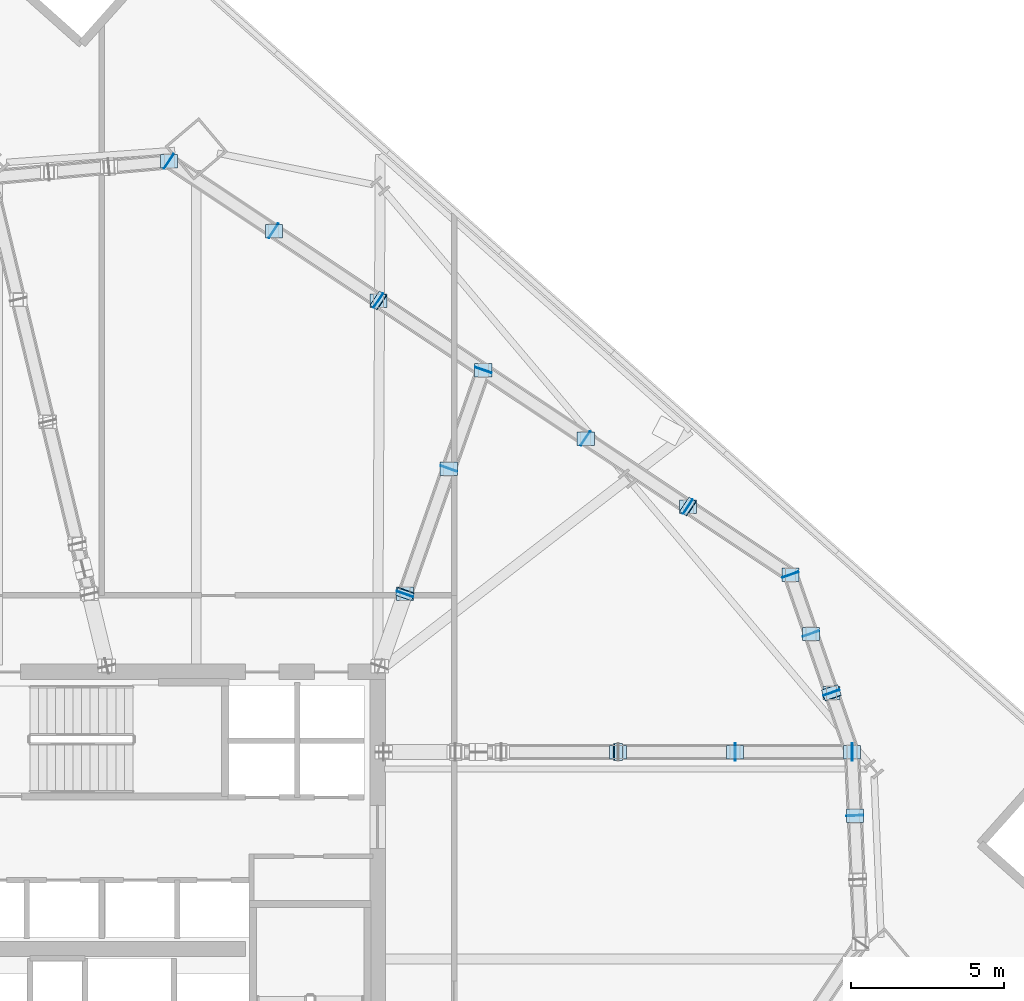
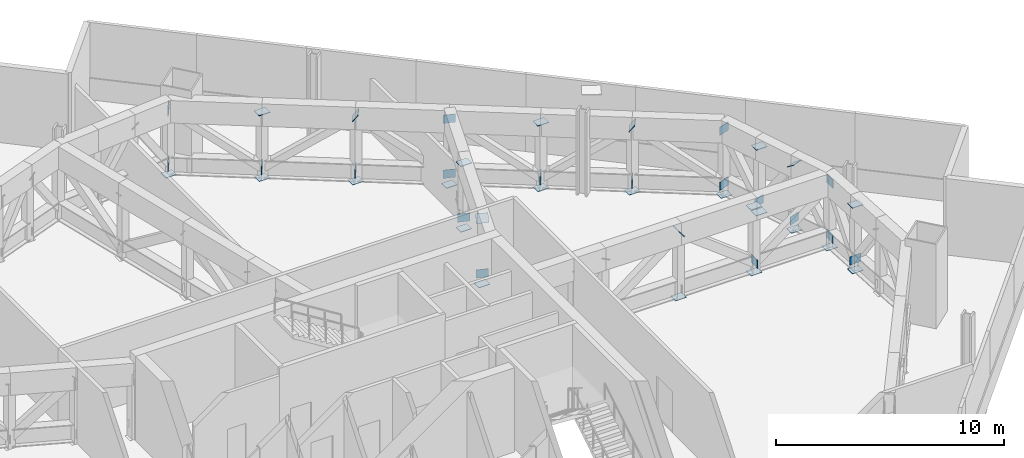
# One storey, part 11 of 18: 44 plates.
"""IFC4 building model written with IfcOpenShell, lengths in metres."""

import ifcopenshell
import ifcopenshell.guid

model = None  # the IFC model being written
_history = None  # IfcOwnerHistory: only IFC2X3 demands one
_inside = {}  # id of a spatial element -> (the spatial element, [elements in it])
_under = {}  # id of a project, library or spatial element -> (it, [spatial elements below it])
_declared = {}  # id of a project -> (the project, [libraries it declares])
_typed = {}  # id of a type object -> (the type object, [elements of that type])
_made_of = {}  # id of a material, layer set ... -> (it, [elements and type objects made of it])


def new_model(schema):
    """Start an empty IFC model of exactly this schema.

    Asked for "IFC4X3", IfcOpenShell would pick the latest addendum, in which some entities
    have other attributes; the version numbers below select the first issue.
    IFC2X3 requires an IfcOwnerHistory on every rooted entity: one is made here for all.
    """
    global model, _history
    if schema == "IFC4X3":
        model = ifcopenshell.file(schema_version=(4, 3, 0, 0))
    else:
        model = ifcopenshell.file(schema=schema)
    _inside.clear()
    _under.clear()
    _declared.clear()
    _typed.clear()
    _made_of.clear()
    _history = None
    if model.schema == "IFC2X3":
        org = make("IfcOrganization", Name="unknown")
        user = make(
            "IfcPersonAndOrganization",
            ThePerson=make("IfcPerson", FamilyName="unknown"),
            TheOrganization=org,
        )
        app = make(
            "IfcApplication",
            ApplicationDeveloper=org,
            Version="unknown",
            ApplicationFullName="unknown",
            ApplicationIdentifier="unknown",
        )
        _history = make(
            "IfcOwnerHistory",
            OwningUser=user,
            OwningApplication=app,
            ChangeAction="ADDED",
            CreationDate=0,
        )
    return model


def make(cls, **values):
    """One entity of the class cls with the attributes given. An attribute that is None is left unset."""
    return model.create_entity(
        cls, **{name: value for name, value in values.items() if value is not None}
    )


def rooted(cls, **values):
    """An entity with a GlobalId (a new one), such as an element, a storey or a relation."""
    return make(cls, GlobalId=ifcopenshell.guid.new(), OwnerHistory=_history, **values)


def si_unit(unit_type, name, prefix=None):
    """IfcSIUnit, for example si_unit("LENGTHUNIT", "METRE", prefix="MILLI")."""
    return make("IfcSIUnit", UnitType=unit_type, Prefix=prefix, Name=name)


def assignment(units):
    """IfcUnitAssignment: the units of a project."""
    return None if units is None else make("IfcUnitAssignment", Units=units)


def point(xyz):
    """IfcCartesianPoint."""
    return None if xyz is None else make("IfcCartesianPoint", Coordinates=xyz)


def direction(xyz):
    """IfcDirection."""
    return None if xyz is None else make("IfcDirection", DirectionRatios=xyz)


def frame(location, z_axis=None, x_axis=None):
    """IfcAxis2Placement3D, a coordinate frame: its origin and axes. An axis left out is left unset."""
    return make(
        "IfcAxis2Placement3D",
        Location=point(location),
        Axis=direction(z_axis),
        RefDirection=direction(x_axis),
    )


def frame_2d(location, x_axis=None):
    """IfcAxis2Placement2D, a coordinate frame in the plane: its origin and x axis."""
    return make(
        "IfcAxis2Placement2D", Location=point(location), RefDirection=direction(x_axis)
    )


def origin():
    """The frame at (0, 0, 0) with its axes left unset."""
    return frame((0.0, 0.0, 0.0))


def origin_2d():
    """The frame at (0, 0) in the plane with its x axis left unset."""
    return frame_2d((0.0, 0.0))


def place(relative_to, where):
    """IfcLocalPlacement: puts the frame where relative to a parent placement (None: the world)."""
    return make(
        "IfcLocalPlacement", PlacementRelTo=relative_to, RelativePlacement=where
    )


def context(
    kind, dimensions, precision=None, world=None, true_north=None, identifier=None
):
    """IfcGeometricRepresentationContext, for example the 3D "Model" context."""
    return make(
        "IfcGeometricRepresentationContext",
        ContextIdentifier=identifier,
        ContextType=kind,
        CoordinateSpaceDimension=dimensions,
        Precision=precision,
        WorldCoordinateSystem=world,
        TrueNorth=true_north,
    )


def subcontext(parent, identifier, kind, view, scale=None):
    """IfcGeometricRepresentationSubContext, for example "Body" below "Model"."""
    return make(
        "IfcGeometricRepresentationSubContext",
        ContextIdentifier=identifier,
        ContextType=kind,
        ParentContext=parent,
        TargetScale=scale,
        TargetView=view,
    )


def project(units=None, contexts=None):
    """IfcProject with its units and contexts."""
    return rooted(
        "IfcProject",
        Name="project",
        RepresentationContexts=contexts,
        UnitsInContext=assignment(units),
    )


def spatial(cls, under=None, at=None, **own):
    """A site, building, storey or space (cls), placed at a placement, below another one or the project."""
    s = rooted(cls, ObjectPlacement=at, **own)
    if under is not None:
        _under.setdefault(under.id(), (under, []))[1].append(s)
    return s


def profile(cls, at=None, kind="AREA", **sizes):
    """A parametric profile (cls). Its sizes go by their IFC names, for example OverallWidth=200.0."""
    return make(cls, ProfileType=kind, Position=at, **sizes)


def rectangle(**sizes):
    """IfcRectangleProfileDef."""
    return profile("IfcRectangleProfileDef", **sizes)


def extrude(swept, where, along, depth):
    """IfcExtrudedAreaSolid: the profile swept, set in the frame where, extruded along a direction by depth."""
    return make(
        "IfcExtrudedAreaSolid",
        SweptArea=swept,
        Position=where,
        ExtrudedDirection=direction(along),
        Depth=depth,
    )


def shape(context_of_items, identifier, shape_type, items):
    """IfcShapeRepresentation: the items that make up one representation, for example the "Body"."""
    return make(
        "IfcShapeRepresentation",
        ContextOfItems=context_of_items,
        RepresentationIdentifier=identifier,
        RepresentationType=shape_type,
        Items=items,
    )


def source(mapping_origin, context_of_items, identifier, shape_type, items):
    """IfcRepresentationMap: a shape defined once, which mapped items show again and again."""
    return make(
        "IfcRepresentationMap",
        MappingOrigin=mapping_origin,
        MappedRepresentation=shape(context_of_items, identifier, shape_type, items),
    )


def transform(
    local_origin,
    x_axis=None,
    y_axis=None,
    z_axis=None,
    scale=None,
    scale2=None,
    scale3=None,
    uniform=True,
):
    """IfcCartesianTransformationOperator3D, or its non-uniform kind. x_axis, y_axis, z_axis: its Axis1, 2, 3."""
    if uniform:
        return make(
            "IfcCartesianTransformationOperator3D",
            Axis1=direction(x_axis),
            Axis2=direction(y_axis),
            LocalOrigin=point(local_origin),
            Scale=scale,
            Axis3=direction(z_axis),
        )
    return make(
        "IfcCartesianTransformationOperator3DnonUniform",
        Axis1=direction(x_axis),
        Axis2=direction(y_axis),
        LocalOrigin=point(local_origin),
        Scale=scale,
        Axis3=direction(z_axis),
        Scale2=scale2,
        Scale3=scale3,
    )


def mapped(mapping_source, mapping_target):
    """IfcMappedItem: shows the shape of a source again, moved by a transform."""
    return make(
        "IfcMappedItem", MappingSource=mapping_source, MappingTarget=mapping_target
    )


def material(Name=None, Category=None):
    """IfcMaterial."""
    return make("IfcMaterial", Name=Name, Category=Category)


def layer(
    of_material, thickness, ventilated=None, Name=None, Category=None, Priority=None
):
    """IfcMaterialLayer: one layer of a wall or slab, of a material (None: an air gap)."""
    return make(
        "IfcMaterialLayer",
        Material=of_material,
        LayerThickness=thickness,
        IsVentilated=ventilated,
        Name=Name,
        Category=Category,
        Priority=Priority,
    )


def layer_set(layers, Name=None):
    """IfcMaterialLayerSet."""
    return make("IfcMaterialLayerSet", MaterialLayers=layers, LayerSetName=Name)


def made_of(thing, what):
    """Note that an element or type object is made of a material, layer set ...; save() writes the relation."""
    if what is not None:
        _made_of.setdefault(what.id(), (what, []))[1].append(thing)
    return thing


def type_object(cls, material=None, **own):
    """A type object (cls), such as IfcWallType, which elements share."""
    return made_of(rooted(cls, **own), material)


def element(
    cls,
    number,
    at=None,
    inside=None,
    cuts=None,
    type_object=None,
    material=None,
    context=None,
    identifier="Body",
    shape_type=None,
    held_by="IfcProductDefinitionShape",
    body=None,
    shapes=None,
    **own,
):
    """One element of the class cls, such as IfcWall. Its Tag is "e" and its number.

    at: its placement. inside: the storey or other place that contains it. cuts: it is an
    opening in that element (IfcRelVoidsElement). A single representation is given by context,
    identifier, shape_type and body (its items); several are given by shapes. held_by: the class
    of the entity that holds the representations. save() writes the other relations.
    """
    e = rooted(cls, Tag="e%d" % number, ObjectPlacement=at, **own)
    if body is not None:
        shapes = [shape(context, identifier, shape_type, body)]
    if shapes is not None:
        e.Representation = make(held_by, Representations=shapes)
    if inside is not None:
        _inside.setdefault(inside.id(), (inside, []))[1].append(e)
    if cuts is not None:
        rooted(
            "IfcRelVoidsElement", RelatingBuildingElement=cuts, RelatedOpeningElement=e
        )
    if type_object is not None:
        _typed.setdefault(type_object.id(), (type_object, []))[1].append(e)
    return made_of(e, material)


def aggregate(whole, parts):
    """IfcRelAggregates: a whole, such as a stair, and the parts it consists of."""
    return rooted("IfcRelAggregates", RelatingObject=whole, RelatedObjects=parts)


def save(model, path):
    """Write the relations noted so far, then the file.

    IfcRelAggregates (storeys below a building ...), IfcRelContainedInSpatialStructure (elements
    in a storey), IfcRelDefinesByType, IfcRelAssociatesMaterial and IfcRelDeclares: one each for
    every whole, place, type object, material and project.
    """
    for whole, parts in _under.values():
        aggregate(whole, parts)
    for where, things in _inside.values():
        rooted(
            "IfcRelContainedInSpatialStructure",
            RelatedElements=things,
            RelatingStructure=where,
        )
    for kind, things in _typed.values():
        rooted("IfcRelDefinesByType", RelatedObjects=things, RelatingType=kind)
    for what, things in _made_of.values():
        rooted("IfcRelAssociatesMaterial", RelatedObjects=things, RelatingMaterial=what)
    for by, libraries in _declared.values():
        rooted("IfcRelDeclares", RelatingContext=by, RelatedDefinitions=libraries)
    model.write(path)


model = new_model("IFC4")

# Units and contexts
model_context = context("Model", 3, precision=1e-05, world=origin(), true_north=direction((0.0, 1.0)))
body_context = subcontext(model_context, "Body", "Model", "MODEL_VIEW")
ifc_project = project(units=[si_unit("LENGTHUNIT", "METRE"), si_unit("AREAUNIT", "SQUARE_METRE"), si_unit("VOLUMEUNIT", "CUBIC_METRE"), si_unit("PLANEANGLEUNIT", "RADIAN"), si_unit("MASSUNIT", "GRAM", prefix="KILO")], contexts=[model_context])

# Site, building, storey
site_placement = place(None, origin())
site = spatial("IfcSite", under=ifc_project, at=site_placement, CompositionType="ELEMENT")
building_placement = place(site_placement, origin())
building = spatial("IfcBuilding", under=site, at=building_placement, Name="Haldenkirk Collegiate Tower", CompositionType="ELEMENT")
storey_placement = place(building_placement, frame((0.0, 0.0, 189.449951171875)))
storey = spatial("IfcBuildingStorey", under=building, at=storey_placement, Name="L47", CompositionType="ELEMENT", Elevation=189.449951171875)

# Plates
ifc_material = material(Name="Steel ASTM A572 Grade 50", Category="steel")
ifc_layer = layer(ifc_material, 0.028076171875)
ifc_layer_set = layer_set([ifc_layer], Name="Steel ASTM A572 Grade 50")
plate_type = type_object("IfcPlateType", Name="PLT-CAP-INT-560X440", PredefinedType="USERDEFINED", material=ifc_layer_set)
shared_shape = source(origin(), body_context, "Body", "SweptSolid", [
    extrude(rectangle(XDim=0.56005859375, YDim=0.43994140625, at=origin_2d()), origin(), (0.0, 0.0, 1.0), 0.028076171875),
])
for number, where, z_axis, x_axis, name in (
    (1, (52.840576171875, 31.3837890625, 3.48828125), (0.792593021539, 0.0, 0.60975101657), (0.0, 1.0, 0.0), "Outrigger Truss L47 Radial 02 web diagonal 3 end cap plate 2"),
    (2, (56.66162109375, 31.3837890625, 0.550048828125), (1.0, 0.0, 0.0), (0.0, 1.0, 0.0), "Outrigger Truss L47 Radial 02 bottom chord 4 end plate 2"),
    (3, (60.4833984375, 31.3837890625, 3.489990234375), (1.0, 0.0, 0.0), (0.0, 1.0, 0.0), "Outrigger Truss L47 Radial 02 top chord 5 end cap plate 2"),
    (4, (60.4833984375, 31.3837890625, 0.550048828125), (1.0, 0.0, 0.0), (0.0, 1.0, 0.0), "Outrigger Truss L47 Radial 02 bottom chord 5 end plate 2"),
    (5, (52.84326171875, 31.3837890625, 0.0029296875), (0.0, 0.0, -1.0), (1.0, 0.0, 0.0), "Outrigger Truss L47 Radial 02 vertical post 4 end cap plate 1"),
    (6, (56.664794921875, 31.3837890625, 0.0029296875), (0.0, 0.0, -1.0), (1.0, 0.0, 0.0), "Outrigger Truss L47 Radial 02 vertical post 5 end cap plate 1"),
    (7, (56.664794921875, 31.3837890625, 3.48681640625), (0.0, 0.0, 1.0), (1.0, 0.0, 0.0), "Outrigger Truss L47 Radial 02 vertical post 5 end cap plate 2"),
    (8, (60.486328125, 31.3837890625, 0.0029296875), (0.0, 0.0, -1.0), (1.0, 0.0, 0.0), "Outrigger Truss L47 Radial 02 vertical post 6 end cap plate 1"),
    (9, (45.894287109375, 36.552734375, 0.550048828125), (-0.330582975931, -0.943776931285, 0.0), (0.943776931285, -0.330582975931, 0.0), "Outrigger Truss L47 Radial 06 bottom chord 2 end plate 1"),
    (10, (47.3193359375, 40.621826171875, 0.550048828125), (0.330582975931, 0.943776931285, 0.0), (-0.943776931285, 0.330582975931, 0.0), "Outrigger Truss L47 Radial 06 bottom chord 2 end plate 2"),
    (11, (45.89404296875, 36.552490234375, 3.488525390625), (-0.273241020193, -0.780074057648, 0.562871041597), (0.943777103942, -0.330582483014, -3.5567e-07), "Outrigger Truss L47 Radial 06 web diagonal 2 end cap plate 1"),
    (12, (48.446533203125, 43.839599609375, 3.489990234375), (0.33057789836, 0.943778709823, 0.0), (-0.943778709823, 0.33057789836, 0.0), "Outrigger Truss L47 Radial 06 top chord 3 end cap plate 2"),
    (13, (48.446533203125, 43.839599609375, 0.550048828125), (0.330582975931, 0.943776931285, 0.0), (-0.943776931285, 0.330582975931, 0.0), "Outrigger Truss L47 Radial 06 bottom chord 3 end plate 2"),
    (14, (45.893310546875, 36.550048828125, 0.0029296875), (0.0, 0.0, -1.0), (1.0, 0.0, 0.0), "Outrigger Truss L47 Radial 06 vertical post 2 end cap plate 1"),
    (15, (47.3203125, 40.62451171875, 0.0029296875), (0.0, 0.0, -1.0), (1.0, 0.0, 0.0), "Outrigger Truss L47 Radial 06 vertical post 3 end cap plate 1"),
    (16, (47.3203125, 40.62451171875, 3.48681640625), (0.0, 0.0, 1.0), (1.0, 0.0, 0.0), "Outrigger Truss L47 Radial 06 vertical post 3 end cap plate 2"),
    (17, (48.447509765625, 43.84228515625, 0.0029296875), (0.0, 0.0, -1.0), (1.0, 0.0, 0.0), "Outrigger Truss L47 Radial 06 vertical post 4 end cap plate 1"),
    (18, (60.579833984375, 29.295166015625, 0.550048828125), (-0.044622995445, 0.999003898029, 0.0), (-0.999003898029, -0.044622995445, 0.0), "Belt Truss L47-04 bottom chord 2 end plate 2"),
    (19, (60.57958984375, 29.298095703125, 0.0029296875), (0.0, 0.0, -1.0), (1.0, 0.0, 0.0), "Belt Truss L47-04 vertical post 3 end cap plate 1"),
    (20, (60.57958984375, 29.298095703125, 3.48681640625), (0.0, 0.0, 1.0), (1.0, 0.0, 0.0), "Belt Truss L47-04 vertical post 3 end cap plate 2"),
    (21, (59.81884765625, 33.3076171875, 0.550048828125), (-0.327801828689, 0.944746506269, 0.0), (-0.944746506269, -0.327801828689, 0.0), "Belt Truss L47-05 bottom chord 1 end plate 2"),
    (22, (59.818359375, 33.308837890625, 3.487548828125), (-0.186834975753, 0.53845293012, 0.821681893363), (-0.944743243982, -0.327811230665, -1.98865e-07), "Belt Truss L47-05 web diagonal 1 end cap plate 2"),
    (23, (59.150390625, 35.234130859375, 0.550048828125), (-0.327801828689, 0.944746506269, 0.0), (-0.944746506269, -0.327801828689, 0.0), "Belt Truss L47-05 bottom chord 2 end plate 2"),
    (24, (58.48193359375, 37.16064453125, 3.489990234375), (-0.327811100348, 0.9447432892, 0.0), (-0.9447432892, -0.327811100348, 0.0), "Belt Truss L47-05 top chord 3 end cap plate 2"),
    (25, (58.48193359375, 37.16064453125, 0.550048828125), (-0.327801828689, 0.944746506269, 0.0), (-0.944746506269, -0.327801828689, 0.0), "Belt Truss L47-05 bottom chord 3 end plate 2"),
    (26, (59.81787109375, 33.310302734375, 0.0029296875), (0.0, 0.0, -1.0), (1.0, 0.0, 0.0), "Belt Truss L47-05 vertical post 2 end cap plate 1"),
    (27, (59.1494140625, 35.23681640625, 0.0029296875), (0.0, 0.0, -1.0), (1.0, 0.0, 0.0), "Belt Truss L47-05 vertical post 3 end cap plate 1"),
    (28, (59.1494140625, 35.23681640625, 3.48681640625), (0.0, 0.0, 1.0), (1.0, 0.0, 0.0), "Belt Truss L47-05 vertical post 3 end cap plate 2"),
    (29, (58.48095703125, 37.16357421875, 0.0029296875), (0.0, 0.0, -1.0), (1.0, 0.0, 0.0), "Belt Truss L47-05 vertical post 4 end cap plate 1"),
    (30, (55.138916015625, 39.38818359375, 0.550048828125), (-0.832438090832, 0.554118060463, 0.0), (-0.554118060463, -0.832438090832, 0.0), "Belt Truss L47-06 bottom chord 1 end plate 2"),
    (31, (55.138427734375, 39.388427734375, 3.48828125), (-0.671785588556, 0.447180726118, 0.590536638318), (-0.554119875241, -0.83243688281, -2.8477e-08), "Belt Truss L47-06 web diagonal 1 end cap plate 2"),
    (32, (51.79443359375, 41.6142578125, 0.550048828125), (-0.832438090832, 0.554118060463, 0.0), (-0.554118060463, -0.832438090832, 0.0), "Belt Truss L47-06 bottom chord 2 end plate 2"),
    (33, (55.136474609375, 39.389892578125, 0.0029296875), (0.0, 0.0, -1.0), (1.0, 0.0, 0.0), "Belt Truss L47-06 vertical post 2 end cap plate 1"),
    (34, (51.7919921875, 41.615966796875, 0.0029296875), (0.0, 0.0, -1.0), (1.0, 0.0, 0.0), "Belt Truss L47-06 vertical post 3 end cap plate 1"),
    (35, (51.7919921875, 41.615966796875, 3.48681640625), (0.0, 0.0, 1.0), (1.0, 0.0, 0.0), "Belt Truss L47-06 vertical post 3 end cap plate 2"),
    (36, (45.03173828125, 46.115966796875, 0.550048828125), (-0.832437322515, 0.554119214685, 0.0), (-0.554119214685, -0.832437322515, 0.0), "Belt Truss L47-07 bottom chord 1 end plate 2"),
    (37, (45.03125, 46.116455078125, 3.48828125), (-0.676847122498, 0.450545081541, 0.582140105357), (-0.554115702979, -0.832439660103, -4.2177e-08), "Belt Truss L47-07 web diagonal 1 end cap plate 2"),
    (38, (41.613525390625, 48.391357421875, 0.550048828125), (-0.832437322515, 0.554119214685, 0.0), (-0.554119214685, -0.832437322515, 0.0), "Belt Truss L47-07 bottom chord 2 end plate 2"),
    (39, (38.1953125, 50.666748046875, 3.489990234375), (-0.83243962746, 0.554115752018, 0.0), (-0.554115752018, -0.83243962746, 0.0), "Belt Truss L47-07 top chord 3 end cap plate 2"),
    (40, (38.1953125, 50.666748046875, 0.550048828125), (-0.832437322515, 0.554119214685, 0.0), (-0.554119214685, -0.832437322515, 0.0), "Belt Truss L47-07 bottom chord 3 end plate 2"),
    (41, (45.029296875, 46.11767578125, 0.0029296875), (0.0, 0.0, -1.0), (1.0, 0.0, 0.0), "Belt Truss L47-07 vertical post 2 end cap plate 1"),
    (42, (41.611083984375, 48.39306640625, 0.0029296875), (0.0, 0.0, -1.0), (1.0, 0.0, 0.0), "Belt Truss L47-07 vertical post 3 end cap plate 1"),
    (43, (41.611083984375, 48.39306640625, 3.48681640625), (0.0, 0.0, 1.0), (1.0, 0.0, 0.0), "Belt Truss L47-07 vertical post 3 end cap plate 2"),
    (44, (38.192626953125, 50.66845703125, 0.0029296875), (0.0, 0.0, -1.0), (1.0, 0.0, 0.0), "Belt Truss L47-07 vertical post 4 end cap plate 1"),
):
    element("IfcPlate", number, at=place(storey_placement, frame(where, z_axis=z_axis, x_axis=x_axis)), inside=storey, type_object=plate_type, Name=name, ObjectType="END CAP PLATE", PredefinedType="USERDEFINED", context=body_context, shape_type="MappedRepresentation", body=[
        mapped(shared_shape, transform((0.0, 0.0, 0.0), x_axis=(1.0, 0.0, 0.0), y_axis=(0.0, 1.0, 0.0), z_axis=(0.0, 0.0, 1.0), scale=1.0)),
    ])

save(model, "model.ifc")
